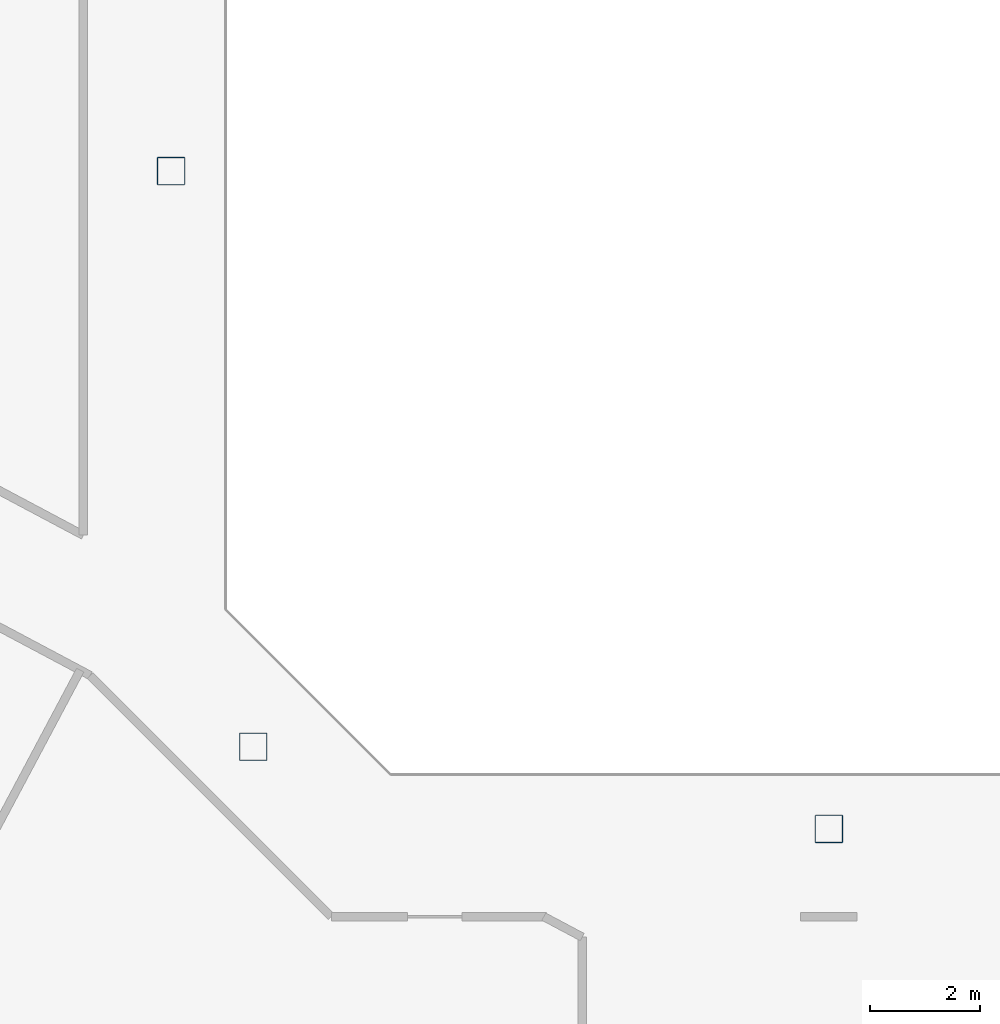
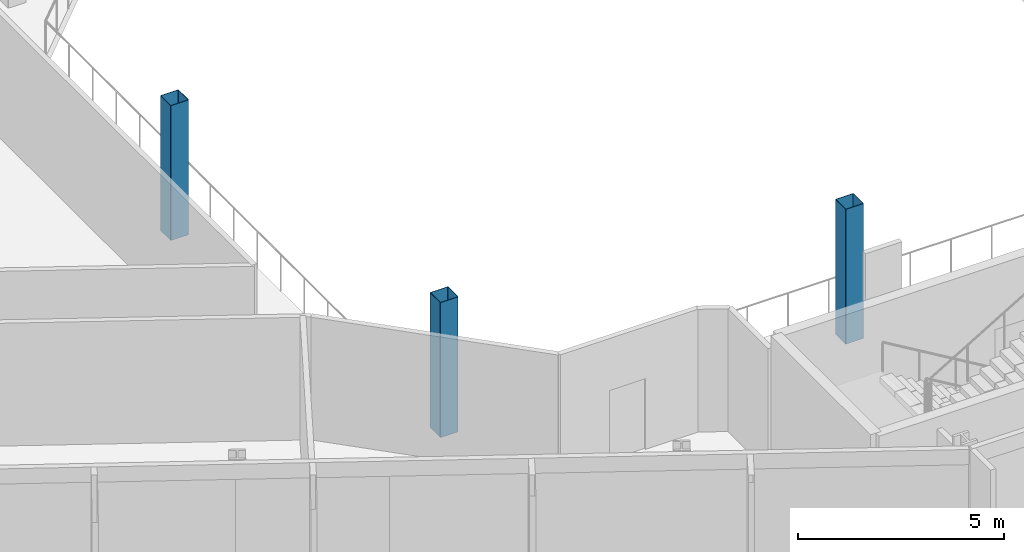
# One storey, part 2 of 28: 3 columns.
"""IFC4 building model written with IfcOpenShell, lengths in metres."""

from ifc_helpers import new_model, si_unit, direction, frame, origin, origin_2d, place, context, subcontext, project, spatial, hollow_rectangle, extrude, material, material_profile, profile_set, type_object, element, save


model = new_model("IFC4")

# Units and contexts
model_context = context("Model", 3, precision=1e-05, world=origin(), true_north=direction((0.0, 1.0)))
body_context = subcontext(model_context, "Body", "Model", "MODEL_VIEW")
ifc_project = project(units=[si_unit("LENGTHUNIT", "METRE"), si_unit("AREAUNIT", "SQUARE_METRE"), si_unit("VOLUMEUNIT", "CUBIC_METRE"), si_unit("PLANEANGLEUNIT", "RADIAN"), si_unit("MASSUNIT", "GRAM", prefix="KILO")], contexts=[model_context])

# Site, building, storey
site_placement = place(None, origin())
site = spatial("IfcSite", under=ifc_project, at=site_placement, CompositionType="ELEMENT")
building_placement = place(site_placement, origin())
building = spatial("IfcBuilding", under=site, at=building_placement, Name="Cormorant Relay Tower", CompositionType="ELEMENT")
storey_placement = place(building_placement, frame((0.0, 0.0, 162.199951171875)))
storey = spatial("IfcBuildingStorey", under=building, at=storey_placement, Name="L34", CompositionType="ELEMENT", Elevation=162.199951171875)

# Columns
ifc_material = material(Name="Steel ASTM A500 Grade C (Fy 345 MPa)", Category="steel")
ifc_material_profile = material_profile(ifc_material, hollow_rectangle(XDim=0.508056640625, YDim=0.508056640625, WallThickness=0.01171875, InnerFilletRadius=0.005859375, OuterFilletRadius=0.017822265625, at=origin_2d()), Name="HSS508x508x12")
ifc_profile_set = profile_set([ifc_material_profile], Name="Steel ASTM A500 Grade C (Fy 345 MPa)")
column_type = type_object("IfcColumnType", Name="Column HSS508x508x12", PredefinedType="COLUMN", material=ifc_profile_set)
for number, where, z_axis, x_axis, name in (
    (1, (0.0, -12.0, 0.0), (0.0, 0.0, 1.0), (1.0, 0.0, 0.0), "Column L34-007"),
    (2, (-10.5, -10.5, 0.0), (0.0, 0.0, 1.0), (1.0, 0.0, 0.0), "Column L34-009"),
    (3, (-12.0, 0.0, 0.0), (0.0, 0.0, 1.0), (1.0, 0.0, 0.0), "Column L34-015"),
):
    element("IfcColumn", number, at=place(storey_placement, frame(where, z_axis=z_axis, x_axis=x_axis)), inside=storey, type_object=column_type, Name=name, PredefinedType="COLUMN", context=body_context, shape_type="SweptSolid", body=[
        extrude(hollow_rectangle(XDim=0.508056640625, YDim=0.508056640625, WallThickness=0.01171875, InnerFilletRadius=0.005859375, OuterFilletRadius=0.017822265625, at=origin_2d()), origin(), (0.0, 0.0, 1.0), 4.0),
    ])

save(model, "model.ifc")
